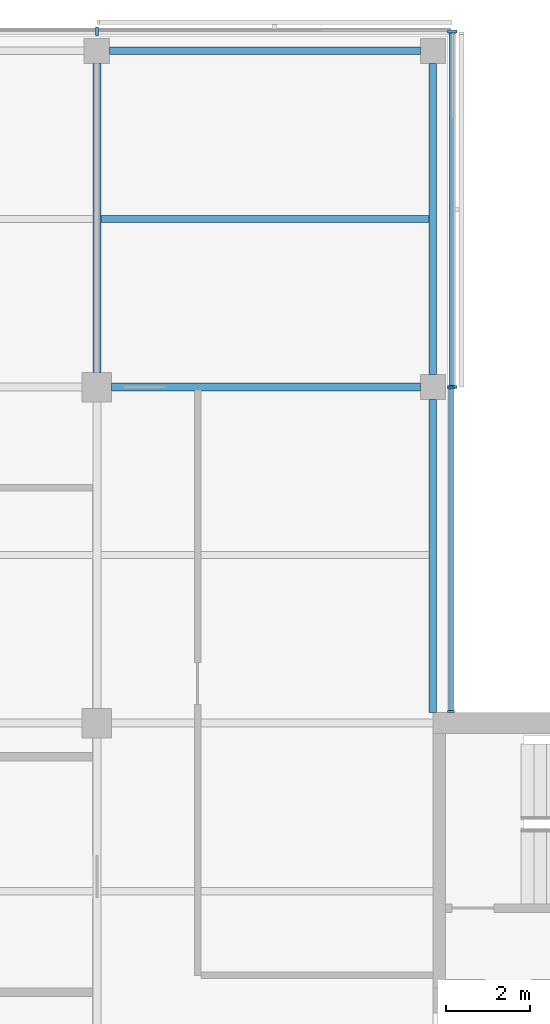
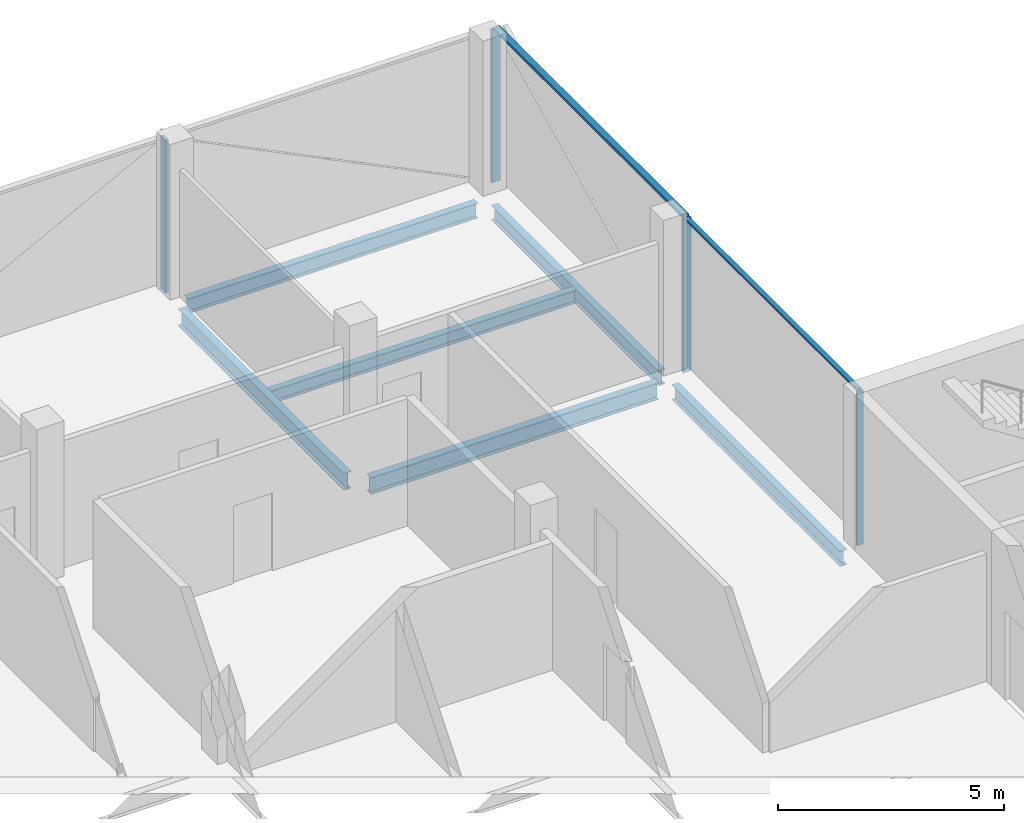
# One storey, part 7 of 16: 7 members, 6 beams, 3 elements without a shape of their own.
"""IFC4 building model written with IfcOpenShell, lengths in metres."""

from ifc_helpers import new_model, si_unit, direction, frame, origin, origin_2d, place, context, subcontext, project, spatial, rectangle, i_section, extrude, material, material_profile, profile_set, type_object, element, aggregate, save


model = new_model("IFC4")

# Units and contexts
model_context = context("Model", 3, precision=1e-05, world=origin(), true_north=direction((0.0, 1.0)))
body_context = subcontext(model_context, "Body", "Model", "MODEL_VIEW")
ifc_project = project(units=[si_unit("LENGTHUNIT", "METRE"), si_unit("AREAUNIT", "SQUARE_METRE"), si_unit("VOLUMEUNIT", "CUBIC_METRE"), si_unit("PLANEANGLEUNIT", "RADIAN"), si_unit("MASSUNIT", "GRAM", prefix="KILO")], contexts=[model_context])

# Site, building, storey
site_placement = place(None, origin())
site = spatial("IfcSite", under=ifc_project, at=site_placement, CompositionType="ELEMENT")
building_placement = place(site_placement, origin())
building = spatial("IfcBuilding", under=site, at=building_placement, Name="Crosswind Convention Tower", CompositionType="ELEMENT")
storey_placement = place(building_placement, frame((0.0, 0.0, 282.89990234375)))
storey = spatial("IfcBuildingStorey", under=building, at=storey_placement, Name="L61", CompositionType="ELEMENT", Elevation=282.89990234375)

# Beams
ifc_material_1 = material(Name="Steel S355", Category="steel")
ifc_material_profile_1 = material_profile(ifc_material_1, i_section(OverallWidth=0.177734375, OverallDepth=0.406494140625, WebThickness=0.0078125, FlangeThickness=0.0126953125, FilletRadius=0.01025390625, at=origin_2d()), Name="UB 406x178x60")
ifc_profile_set_1 = profile_set([ifc_material_profile_1], Name="Steel S355")
beam_type_1 = type_object("IfcBeamType", Name="Edge beam UB 406x178x60", PredefinedType="SPANDREL", material=ifc_profile_set_1)
beam_1_placement = place(storey_placement, frame((129.300048828125, 128.0, -0.503173828125), z_axis=(1.0, 0.0, 0.0), x_axis=(0.0, 1.0, 0.0)))
element("IfcBeam", 1, at=beam_1_placement, inside=storey, type_object=beam_type_1, Name="B15 L61 edge beam 10", PredefinedType="SPANDREL", context=body_context, shape_type="SweptSolid", body=[
    extrude(i_section(OverallWidth=0.177734375, OverallDepth=0.406494140625, WebThickness=0.0078125, FlangeThickness=0.0126953125, FilletRadius=0.01025390625, at=origin_2d()), origin(), (0.0, 0.0, 1.0), 7.39990234375),
])
beam_2_placement = place(storey_placement, frame((137.0, 112.25, -0.503173828125), z_axis=(0.0, 1.0, 0.0), x_axis=(-1.0, 0.0, 0.0)))
element("IfcBeam", 2, at=beam_2_placement, inside=storey, type_object=beam_type_1, Name="B15 L61 edge beam 13", PredefinedType="SPANDREL", context=body_context, shape_type="SweptSolid", body=[
    extrude(i_section(OverallWidth=0.177734375, OverallDepth=0.406494140625, WebThickness=0.0078125, FlangeThickness=0.0126953125, FilletRadius=0.01025390625, at=origin_2d()), origin(), (0.0, 0.0, 1.0), 7.449951171875),
])
beam_3_placement = place(storey_placement, frame((137.0, 120.300048828125, -0.503173828125), z_axis=(0.0, 1.0, 0.0), x_axis=(-1.0, 0.0, 0.0)))
element("IfcBeam", 3, at=beam_3_placement, inside=storey, type_object=beam_type_1, Name="B15 L61 edge beam 14", PredefinedType="SPANDREL", context=body_context, shape_type="SweptSolid", body=[
    extrude(i_section(OverallWidth=0.177734375, OverallDepth=0.406494140625, WebThickness=0.0078125, FlangeThickness=0.0126953125, FilletRadius=0.01025390625, at=origin_2d()), origin(), (0.0, 0.0, 1.0), 7.39990234375),
])
ifc_material_profile_2 = material_profile(ifc_material_1, i_section(OverallWidth=0.18994140625, OverallDepth=0.45361328125, WebThickness=0.008544921875, FlangeThickness=0.0126953125, FilletRadius=0.01025390625, at=origin_2d()), Name="UB 457x191x67")
ifc_profile_set_2 = profile_set([ifc_material_profile_2], Name="Steel S355")
beam_type_2 = type_object("IfcBeamType", Name="Girder UB 457x191x67", PredefinedType="BEAM", material=ifc_profile_set_2)
for number, where, z_axis, x_axis, name in (
    (4, (129.0, 120.35009765625, -0.526611328125), (0.0, 1.0, 0.0), (-1.0, 0.0, 0.0), "B1 L61 girder 22"),
    (5, (129.35009765625, 120.0, -0.526611328125), (1.0, 0.0, 0.0), (0.0, 1.0, 0.0), "B1 L61 girder 24"),
):
    element("IfcBeam", number, at=place(storey_placement, frame(where, z_axis=z_axis, x_axis=x_axis)), inside=storey, type_object=beam_type_2, Name=name, PredefinedType="BEAM", context=body_context, shape_type="SweptSolid", body=[
        extrude(i_section(OverallWidth=0.18994140625, OverallDepth=0.45361328125, WebThickness=0.008544921875, FlangeThickness=0.0126953125, FilletRadius=0.01025390625, at=origin_2d()), origin(), (0.0, 0.0, 1.0), 7.349853515625),
    ])

# Curtain wall, members
ifc_material_2 = material(Name="Aluminium unitised curtain wall", Category="aluminium")
curtain_wall_type_1 = type_object("IfcCurtainWallType", Name="CORE END SLOT WALL 160", PredefinedType="USERDEFINED", material=ifc_material_2)
curtain_wall_1_placement = place(storey_placement, origin())
curtain_wall_1 = element("IfcCurtainWall", 6, at=curtain_wall_1_placement, inside=storey, type_object=curtain_wall_type_1, Name="CW6 L61 N-E.1-1 slot", ObjectType="UNITISED", PredefinedType="USERDEFINED")
ifc_material_3 = material(Name="Aluminium mullion", Category="aluminium")
ifc_material_profile_3 = material_profile(ifc_material_3, rectangle(XDim=0.159912109375, YDim=0.050048828125, at=origin_2d()), Name="AL 160X50")
ifc_profile_set_3 = profile_set([ifc_material_profile_3], Name="Aluminium mullion")
member_type_1 = type_object("IfcMemberType", Name="MULLION 50X160", PredefinedType="MULLION", material=ifc_profile_set_3)
member_1_placement = place(storey_placement, frame((137.429931640625, 112.27490234375, -0.2998046875), z_axis=(0.0, 0.0, 1.0), x_axis=(1.0, 0.0, 0.0)))
member_1 = element("IfcMember", 7, at=member_1_placement, type_object=member_type_1, Name="CW6 mullion 1", PredefinedType="MULLION", context=body_context, shape_type="SweptSolid", body=[
    extrude(rectangle(XDim=0.159912109375, YDim=0.050048828125, at=origin_2d()), origin(), (0.0, 0.0, 1.0), 4.14990234375),
])
member_2_placement = place(storey_placement, frame((137.429931640625, 119.97509765625, -0.2998046875), z_axis=(0.0, 0.0, 1.0), x_axis=(1.0, 0.0, 0.0)))
member_2 = element("IfcMember", 8, at=member_2_placement, type_object=member_type_1, Name="CW6 mullion 2", PredefinedType="MULLION", context=body_context, shape_type="SweptSolid", body=[
    extrude(rectangle(XDim=0.159912109375, YDim=0.050048828125, at=origin_2d()), origin(), (0.0, 0.0, 1.0), 4.14990234375),
])

curtain_wall_type_2 = type_object("IfcCurtainWallType", Name="OFFICE UNITISED WALL 220", PredefinedType="USERDEFINED", material=ifc_material_2)
curtain_wall_2_placement = place(storey_placement, origin())
curtain_wall_2 = element("IfcCurtainWall", 9, at=curtain_wall_2_placement, inside=storey, type_object=curtain_wall_type_2, Name="CW3 L61 N-E 1", ObjectType="UNITISED", PredefinedType="USERDEFINED")
ifc_material_profile_4 = material_profile(ifc_material_3, rectangle(XDim=0.219970703125, YDim=0.070068359375, at=origin_2d()), Name="AL 220X70")
ifc_profile_set_4 = profile_set([ifc_material_profile_4], Name="Aluminium mullion")
member_type_2 = type_object("IfcMemberType", Name="MULLION 70X220", PredefinedType="MULLION", material=ifc_profile_set_4)
member_3_placement = place(storey_placement, frame((137.4599609375, 120.0, -0.2998046875), z_axis=(0.0, 0.0, 1.0), x_axis=(1.0, 0.0, 0.0)))
member_3 = element("IfcMember", 10, at=member_3_placement, type_object=member_type_2, Name="CW3 mullion 1", PredefinedType="MULLION", context=body_context, shape_type="SweptSolid", body=[
    extrude(rectangle(XDim=0.219970703125, YDim=0.070068359375, at=origin_2d()), origin(), (0.0, 0.0, 1.0), 4.1298828125),
])
member_4_placement = place(storey_placement, frame((137.4599609375, 128.4599609375, -0.2998046875), z_axis=(0.0, 0.0, 1.0), x_axis=(1.0, 0.0, 0.0)))
member_4 = element("IfcMember", 11, at=member_4_placement, type_object=member_type_2, Name="CW3 mullion 2", PredefinedType="MULLION", context=body_context, shape_type="SweptSolid", body=[
    extrude(rectangle(XDim=0.219970703125, YDim=0.070068359375, at=origin_2d()), origin(), (0.0, 0.0, 1.0), 4.1298828125),
])

# Curtain wall, member
curtain_wall_3_placement = place(storey_placement, origin())
curtain_wall_3 = element("IfcCurtainWall", 12, at=curtain_wall_3_placement, inside=storey, type_object=curtain_wall_type_2, Name="CW3 L61 N-TIP 1", ObjectType="UNITISED", PredefinedType="USERDEFINED")
member_5_placement = place(storey_placement, frame((129.0, 128.4599609375, -0.2998046875), z_axis=(0.0, 0.0, 1.0), x_axis=(0.0, 1.0, 0.0)))
member_5 = element("IfcMember", 13, at=member_5_placement, type_object=member_type_2, Name="CW3 mullion 2", PredefinedType="MULLION", context=body_context, shape_type="SweptSolid", body=[
    extrude(rectangle(XDim=0.219970703125, YDim=0.070068359375, at=origin_2d()), origin(), (0.0, 0.0, 1.0), 4.1298828125),
])
aggregate(curtain_wall_3, [member_5])

# Beam
ifc_material_profile_5 = material_profile(ifc_material_1, i_section(OverallWidth=0.17138671875, OverallDepth=0.355712890625, WebThickness=0.00732421875, FlangeThickness=0.011474609375, FilletRadius=0.01025390625, at=origin_2d()), Name="UB 356x171x51")
ifc_profile_set_5 = profile_set([ifc_material_profile_5], Name="Steel S355")
beam_type_3 = type_object("IfcBeamType", Name="Secondary beam UB 356x171x51", PredefinedType="JOIST", material=ifc_profile_set_5)
beam_4_placement = place(storey_placement, frame((129.094970703125, 124.0, -0.477783203125), z_axis=(1.0, 0.0, 0.0), x_axis=(0.0, 1.0, 0.0)))
element("IfcBeam", 14, at=beam_4_placement, inside=storey, type_object=beam_type_3, Name="B8 L61 secondary beam 21", PredefinedType="JOIST", context=body_context, shape_type="SweptSolid", body=[
    extrude(i_section(OverallWidth=0.17138671875, OverallDepth=0.355712890625, WebThickness=0.00732421875, FlangeThickness=0.011474609375, FilletRadius=0.01025390625, at=origin_2d()), origin(), (0.0, 0.0, 1.0), 7.816162109375),
])

# Member
ifc_material_4 = material(Name="Aluminium transom", Category="aluminium")
ifc_material_profile_6 = material_profile(ifc_material_4, rectangle(XDim=0.1201171875, YDim=0.050048828125, at=origin_2d()), Name="AL 120X50")
ifc_profile_set_6 = profile_set([ifc_material_profile_6], Name="Aluminium transom")
member_type_3 = type_object("IfcMemberType", Name="TRANSOM 50X120", PredefinedType="USERDEFINED", material=ifc_profile_set_6)
member_6_placement = place(storey_placement, frame((137.429931640625, 112.300048828125, 3.875), z_axis=(0.0, 1.0, 0.0), x_axis=(-1.0, 0.0, 0.0)))
member_6 = element("IfcMember", 15, at=member_6_placement, type_object=member_type_3, Name="CW6 transom", ObjectType="TRANSOM", PredefinedType="USERDEFINED", context=body_context, shape_type="SweptSolid", body=[
    extrude(rectangle(XDim=0.1201171875, YDim=0.050048828125, at=origin_2d()), origin(), (0.0, 0.0, 1.0), 7.64990234375),
])

aggregate(curtain_wall_1, [member_1, member_2, member_6])

ifc_material_profile_7 = material_profile(ifc_material_4, rectangle(XDim=0.159912109375, YDim=0.070068359375, at=origin_2d()), Name="AL 160X70")
ifc_profile_set_7 = profile_set([ifc_material_profile_7], Name="Aluminium transom")
member_type_4 = type_object("IfcMemberType", Name="TRANSOM 70X160", PredefinedType="USERDEFINED", material=ifc_profile_set_7)
member_7_placement = place(storey_placement, frame((137.4599609375, 120.034912109375, 3.864990234375), z_axis=(0.0, 1.0, 0.0), x_axis=(-1.0, 0.0, 0.0)))
member_7 = element("IfcMember", 16, at=member_7_placement, type_object=member_type_4, Name="CW3 transom", ObjectType="TRANSOM", PredefinedType="USERDEFINED", context=body_context, shape_type="SweptSolid", body=[
    extrude(rectangle(XDim=0.159912109375, YDim=0.070068359375, at=origin_2d()), origin(), (0.0, 0.0, 1.0), 8.39013671875),
])

aggregate(curtain_wall_2, [member_3, member_4, member_7])

save(model, "model.ifc")
